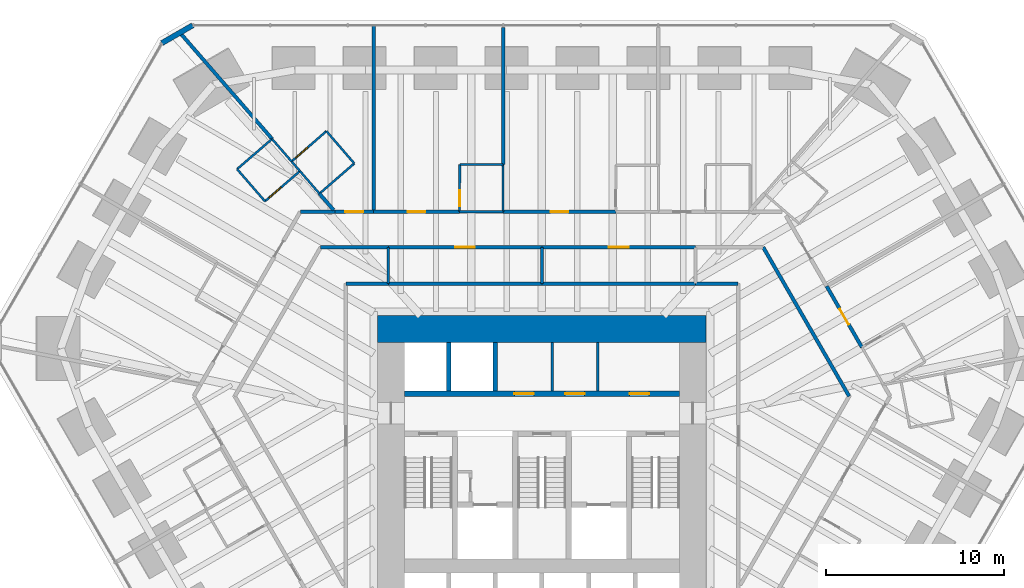
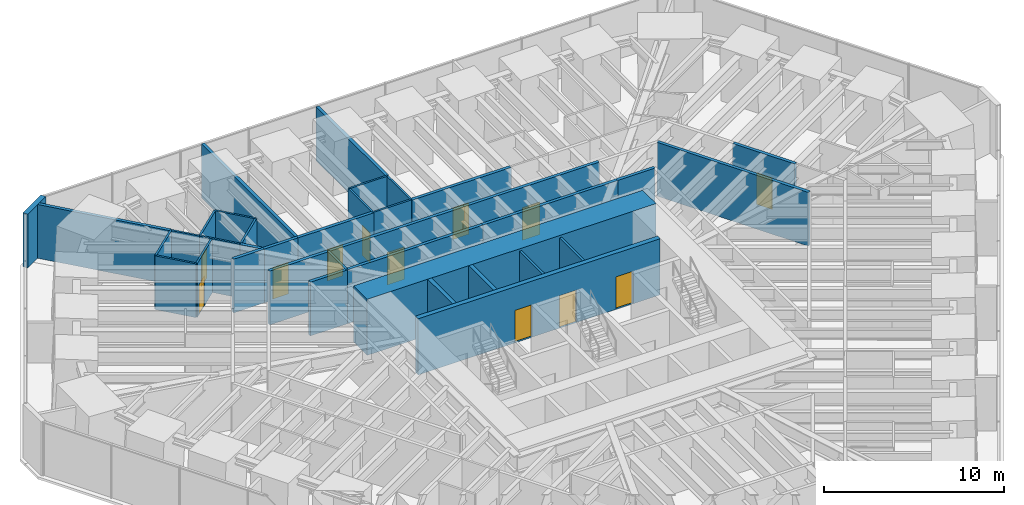
# One storey, part 14 of 17: 39 walls, 12 doors, 12 openings.
"""IFC4 building model written with IfcOpenShell, lengths in metres."""

from ifc_helpers import new_model, si_unit, direction, frame, frame_2d, origin, place, context, subcontext, project, spatial, rectangle, extrude, material, layer, layer_set, type_object, element, fill, save


model = new_model("IFC4")

# Units and contexts
model_context = context("Model", 3, precision=1e-05, world=origin(), true_north=direction((0.0, 1.0)))
body_context = subcontext(model_context, "Body", "Model", "MODEL_VIEW")
ifc_project = project(units=[si_unit("LENGTHUNIT", "METRE"), si_unit("AREAUNIT", "SQUARE_METRE"), si_unit("VOLUMEUNIT", "CUBIC_METRE"), si_unit("PLANEANGLEUNIT", "RADIAN"), si_unit("MASSUNIT", "GRAM", prefix="KILO")], contexts=[model_context])

# Site, building, storey
site_placement = place(None, origin())
site = spatial("IfcSite", under=ifc_project, at=site_placement, CompositionType="ELEMENT")
building_placement = place(site_placement, origin())
building = spatial("IfcBuilding", under=site, at=building_placement, Name="Sandreach Pilgrim Tower", CompositionType="ELEMENT")
storey_placement = place(building_placement, frame((0.0, 0.0, 87.60009765625)))
storey = spatial("IfcBuildingStorey", under=building, at=storey_placement, Name="L21", CompositionType="ELEMENT", Elevation=87.60009765625)

# Walls
ifc_material_1 = material(Name="Gypsum board on steel studs", Category="steel")
ifc_layer_1 = layer(ifc_material_1, 0.14990234375)
ifc_layer_set_1 = layer_set([ifc_layer_1], Name="Back of house wall 150")
wall_type_1 = type_object("IfcWallType", Name="Back of house wall 150", PredefinedType="PARTITIONING", material=ifc_layer_set_1)
wall_1_placement = place(storey_placement, frame((-8.64990234375, 11.449951171875, 0.0), z_axis=(0.0, 0.0, 1.0), x_axis=(0.0, -1.0, 0.0)))
element("IfcWall", 1, at=wall_1_placement, inside=storey, type_object=wall_type_1, Name="Back of house wall L21-053", PredefinedType="PARTITIONING", context=body_context, shape_type="SweptSolid", body=[
    extrude(rectangle(XDim=2.050048828125, YDim=0.14990234375, at=frame_2d((1.02490234375, 0.0))), origin(), (0.0, 0.0, 1.0), 3.639892578125),
])
wall_2_placement = place(storey_placement, frame((0.0, 11.449951171875, 0.0), z_axis=(0.0, 0.0, 1.0), x_axis=(0.0, -1.0, 0.0)))
element("IfcWall", 2, at=wall_2_placement, inside=storey, type_object=wall_type_1, Name="Back of house wall L21-077", PredefinedType="PARTITIONING", context=body_context, shape_type="SweptSolid", body=[
    extrude(rectangle(XDim=2.050048828125, YDim=0.14990234375, at=frame_2d((1.02490234375, 0.0))), origin(), (0.0, 0.0, 1.0), 2.712890625),
])
for number, where, z_axis, x_axis, name in (
    (3, (0.574951171875, 3.35009765625, 0.0), (0.0, 0.0, 1.0), (0.0, 1.0, 0.0), "Core room partition L21 1"),
    (4, (3.137451171875, 3.35009765625, 0.0), (0.0, 0.0, 1.0), (0.0, 1.0, 0.0), "Core room partition L21 2"),
):
    element("IfcWall", number, at=place(storey_placement, frame(where, z_axis=z_axis, x_axis=x_axis)), inside=storey, type_object=wall_type_1, Name=name, PredefinedType="PARTITIONING", context=body_context, shape_type="SweptSolid", body=[
        extrude(rectangle(XDim=2.75, YDim=0.14990234375, at=frame_2d((1.375, 0.0))), origin(), (0.0, 0.0, 1.0), 3.639892578125),
    ])
ifc_material_2 = material(Name="Moisture-resistant gypsum board on steel studs", Category="steel")
ifc_layer_2 = layer(ifc_material_2, 0.1201171875)
ifc_layer_set_2 = layer_set([ifc_layer_2], Name="Bathroom partition 120")
wall_type_2 = type_object("IfcWallType", Name="Bathroom partition 120", PredefinedType="PARTITIONING", material=ifc_layer_set_2)
wall_3_placement = place(storey_placement, frame((-17.169921875, 15.85009765625, 0.0), z_axis=(0.0, 0.0, 1.0), x_axis=(0.655194291402, -0.755460416245, 0.0)))
element("IfcWall", 5, at=wall_3_placement, inside=storey, type_object=wall_type_2, Name="Bathroom partition L21-019", PredefinedType="PARTITIONING", context=body_context, shape_type="SweptSolid", body=[
    extrude(rectangle(XDim=2.39599609375, YDim=0.1201171875, at=frame_2d((1.197998046875, 0.0))), origin(), (0.0, 0.0, 1.0), 3.639892578125),
])

# Wall, opening, door
wall_4_placement = place(storey_placement, frame((-15.60009765625, 14.0400390625, 0.0), z_axis=(0.0, 0.0, 1.0), x_axis=(0.757126702698, 0.653268058351, 0.0)))
wall_4 = element("IfcWall", 6, at=wall_4_placement, inside=storey, type_object=wall_type_2, Name="Bathroom partition L21-024", PredefinedType="PARTITIONING", context=body_context, shape_type="SweptSolid", body=[
    extrude(rectangle(XDim=2.602294921875, YDim=0.1201171875, at=frame_2d((1.30126953125, 0.0))), origin(), (0.0, 0.0, 1.0), 3.639892578125),
])
opening_1_placement = place(wall_4_placement, frame((0.300048828125, 0.0, 0.0)))
opening_1 = element("IfcOpeningElement", 7, at=opening_1_placement, cuts=wall_4, Name="Opening D09-18B", PredefinedType="OPENING", context=body_context, shape_type="SweptSolid", body=[
    extrude(rectangle(XDim=0.89990234375, YDim=2.030029296875, at=frame_2d((0.449951171875, 1.01513671875))), frame((0.0, 0.06005859375, 0.0), z_axis=(0.0, -1.0, 0.0), x_axis=(1.0, 0.0, 0.0)), (0.0, 0.0, 1.0), 0.1201171875),
])
ifc_material_3 = material(Name="Timber door, steel frame", Category="steel")
door_type_1 = type_object("IfcDoorType", Name="Bathroom door", OperationType="SINGLE_SWING_LEFT", PredefinedType="DOOR", material=ifc_material_3)
door_1_placement = place(opening_1_placement, origin())
door_1 = element("IfcDoor", 8, at=door_1_placement, inside=storey, type_object=door_type_1, Name="Door 2118B", OperationType="SINGLE_SWING_LEFT", OverallHeight=2.030029296875, OverallWidth=0.89990234375, PredefinedType="DOOR", context=body_context, shape_type="SweptSolid", body=[
    extrude(rectangle(XDim=0.89990234375, YDim=2.030029296875, at=frame_2d((0.449951171875, 1.01513671875))), frame((0.0, 0.02490234375, 0.0), z_axis=(0.0, -1.0, 0.0), x_axis=(1.0, 0.0, 0.0)), (0.0, 0.0, 1.0), 0.050048828125),
])
fill(opening_1, door_1)

# Walls
wall_5_placement = place(storey_placement, frame((-15.199951171875, 17.550048828125, 0.0), z_axis=(0.0, 0.0, 1.0), x_axis=(-0.757086659925, -0.653314464377, 0.0)))
element("IfcWall", 9, at=wall_5_placement, inside=storey, type_object=wall_type_2, Name="Bathroom partition L21-026", PredefinedType="PARTITIONING", context=body_context, shape_type="SweptSolid", body=[
    extrude(rectangle(XDim=2.60205078125, YDim=0.1201171875, at=frame_2d((1.301025390625, 0.0))), origin(), (0.0, 0.0, 1.0), 3.639892578125),
])
wall_6_placement = place(storey_placement, frame((-15.199951171875, 17.550048828125, 0.0), z_axis=(0.0, 0.0, 1.0), x_axis=(0.654648343784, -0.755933559237, 0.0)))
element("IfcWall", 10, at=wall_6_placement, inside=storey, type_object=wall_type_2, Name="Bathroom partition L21-027", PredefinedType="PARTITIONING", context=body_context, shape_type="SweptSolid", body=[
    extrude(rectangle(XDim=1.68017578125, YDim=0.1201171875, at=frame_2d((0.840087890625, 0.0))), origin(), (0.0, 0.0, 1.0), 3.639892578125),
])
wall_7_placement = place(storey_placement, frame((-14.10009765625, 16.280029296875, 0.0), z_axis=(0.0, 0.0, 1.0), x_axis=(0.656668163725, -0.754179635597, 0.0)))
element("IfcWall", 11, at=wall_7_placement, inside=storey, type_object=wall_type_2, Name="Bathroom partition L21-031", PredefinedType="PARTITIONING", context=body_context, shape_type="SweptSolid", body=[
    extrude(rectangle(XDim=0.716064453125, YDim=0.1201171875, at=frame_2d((0.35791015625, 0.0))), origin(), (0.0, 0.0, 1.0), 3.639892578125),
])
wall_8_placement = place(storey_placement, frame((-13.630126953125, 15.739990234375, 0.0), z_axis=(0.0, 0.0, 1.0), x_axis=(0.654028355274, -0.756470032783, 0.0)))
element("IfcWall", 12, at=wall_8_placement, inside=storey, type_object=wall_type_2, Name="Bathroom partition L21-032", PredefinedType="PARTITIONING", context=body_context, shape_type="SweptSolid", body=[
    extrude(rectangle(XDim=1.68017578125, YDim=0.1201171875, at=frame_2d((0.840087890625, 0.0))), origin(), (0.0, 0.0, 1.0), 3.639892578125),
])
wall_9_placement = place(storey_placement, frame((-12.530029296875, 14.469970703125, 0.0), z_axis=(0.0, 0.0, 1.0), x_axis=(0.755437535555, 0.655220672655, 0.0)))
element("IfcWall", 13, at=wall_9_placement, inside=storey, type_object=wall_type_2, Name="Bathroom partition L21-037", PredefinedType="PARTITIONING", context=body_context, shape_type="SweptSolid", body=[
    extrude(rectangle(XDim=2.594482421875, YDim=0.1201171875, at=frame_2d((1.29736328125, 0.0))), origin(), (0.0, 0.0, 1.0), 3.639892578125),
])

# Wall, opening, door
wall_10_placement = place(storey_placement, frame((-12.139892578125, 17.989990234375, 0.0), z_axis=(0.0, 0.0, 1.0), x_axis=(-0.753570046386, -0.657367617996, 0.0)))
wall_10 = element("IfcWall", 14, at=wall_10_placement, inside=storey, type_object=wall_type_2, Name="Bathroom partition L21-040", PredefinedType="PARTITIONING", context=body_context, shape_type="SweptSolid", body=[
    extrude(rectangle(XDim=2.601318359375, YDim=0.1201171875, at=frame_2d((1.30078125, 0.0))), origin(), (0.0, 0.0, 1.0), 3.639892578125),
])
opening_2_placement = place(wall_10_placement, frame((1.401123046875, 0.0, 0.0)))
opening_2 = element("IfcOpeningElement", 15, at=opening_2_placement, cuts=wall_10, Name="Opening D09-01B", PredefinedType="OPENING", context=body_context, shape_type="SweptSolid", body=[
    extrude(rectangle(XDim=0.89990234375, YDim=2.030029296875, at=frame_2d((0.449951171875, 1.01513671875))), frame((0.0, 0.06005859375, 0.0), z_axis=(0.0, -1.0, 0.0), x_axis=(1.0, 0.0, 0.0)), (0.0, 0.0, 1.0), 0.1201171875),
])
door_2_placement = place(opening_2_placement, origin())
door_2 = element("IfcDoor", 16, at=door_2_placement, inside=storey, type_object=door_type_1, Name="Door 2101B", OperationType="SINGLE_SWING_RIGHT", OverallHeight=2.030029296875, OverallWidth=0.89990234375, PredefinedType="DOOR", context=body_context, shape_type="SweptSolid", body=[
    extrude(rectangle(XDim=0.89990234375, YDim=2.030029296875, at=frame_2d((0.449951171875, 1.01513671875))), frame((0.0, 0.02490234375, 0.0), z_axis=(0.0, -1.0, 0.0), x_axis=(1.0, 0.0, 0.0)), (0.0, 0.0, 1.0), 0.050048828125),
])
fill(opening_2, door_2)

# Wall
wall_11_placement = place(storey_placement, frame((-10.570068359375, 16.169921875, 0.0), z_axis=(0.0, 0.0, 1.0), x_axis=(-0.653130488449, 0.757245379687, 0.0)))
element("IfcWall", 17, at=wall_11_placement, inside=storey, type_object=wall_type_2, Name="Bathroom partition L21-047", PredefinedType="PARTITIONING", context=body_context, shape_type="SweptSolid", body=[
    extrude(rectangle(XDim=2.403564453125, YDim=0.1201171875, at=frame_2d((1.20166015625, 0.0))), origin(), (0.0, 0.0, 1.0), 3.639892578125),
])

# Wall, opening, door
wall_12_placement = place(storey_placement, frame((-4.6298828125, 16.110107421875, 0.0), z_axis=(0.0, 0.0, 1.0), x_axis=(-0.003762822113, -0.99999292056, 0.0)))
wall_12 = element("IfcWall", 18, at=wall_12_placement, inside=storey, type_object=wall_type_2, Name="Bathroom partition L21-059", PredefinedType="PARTITIONING", context=body_context, shape_type="SweptSolid", body=[
    extrude(rectangle(XDim=2.66015625, YDim=0.1201171875, at=frame_2d((1.330078125, 0.0))), origin(), (0.0, 0.0, 1.0), 3.639892578125),
])
opening_3_placement = place(wall_12_placement, frame((1.4599609375, 0.0, 0.0)))
opening_3 = element("IfcOpeningElement", 19, at=opening_3_placement, cuts=wall_12, Name="Opening D09-02B", PredefinedType="OPENING", context=body_context, shape_type="SweptSolid", body=[
    extrude(rectangle(XDim=0.89990234375, YDim=2.030029296875, at=frame_2d((0.449951171875, 1.01513671875))), frame((0.0, 0.06005859375, 0.0), z_axis=(0.0, -1.0, 0.0), x_axis=(1.0, 0.0, 0.0)), (0.0, 0.0, 1.0), 0.1201171875),
])
door_3_placement = place(opening_3_placement, origin())
door_3 = element("IfcDoor", 20, at=door_3_placement, inside=storey, type_object=door_type_1, Name="Door 2102B", OperationType="SINGLE_SWING_RIGHT", OverallHeight=2.030029296875, OverallWidth=0.89990234375, PredefinedType="DOOR", context=body_context, shape_type="SweptSolid", body=[
    extrude(rectangle(XDim=0.89990234375, YDim=2.030029296875, at=frame_2d((0.449951171875, 1.01513671875))), frame((0.0, 0.02490234375, 0.0), z_axis=(0.0, -1.0, 0.0), x_axis=(1.0, 0.0, 0.0)), (0.0, 0.0, 1.0), 0.050048828125),
])
fill(opening_3, door_3)

# Walls
wall_13_placement = place(storey_placement, frame((-2.18994140625, 13.449951171875, 0.0), z_axis=(0.0, 0.0, 1.0), x_axis=(-1.0, 0.0, 0.0)))
element("IfcWall", 21, at=wall_13_placement, inside=storey, type_object=wall_type_2, Name="Bathroom partition L21-065", PredefinedType="PARTITIONING", context=body_context, shape_type="SweptSolid", body=[
    extrude(rectangle(XDim=2.449951171875, YDim=0.1201171875, at=frame_2d((1.22509765625, 0.0))), origin(), (0.0, 0.0, 1.0), 3.639892578125),
])
wall_14_placement = place(storey_placement, frame((-2.18994140625, 16.10009765625, 0.0), z_axis=(0.0, 0.0, 1.0), x_axis=(-0.999991585011, 0.004102426955, 0.0)))
element("IfcWall", 22, at=wall_14_placement, inside=storey, type_object=wall_type_2, Name="Bathroom partition L21-066", PredefinedType="PARTITIONING", context=body_context, shape_type="SweptSolid", body=[
    extrude(rectangle(XDim=2.43994140625, YDim=0.1201171875, at=frame_2d((1.219970703125, 0.0))), origin(), (0.0, 0.0, 1.0), 3.639892578125),
])
wall_15_placement = place(storey_placement, frame((-2.18994140625, 16.10009765625, 0.0), z_axis=(0.0, 0.0, 1.0), x_axis=(0.0, -1.0, 0.0)))
element("IfcWall", 23, at=wall_15_placement, inside=storey, type_object=wall_type_2, Name="Bathroom partition L21-067", PredefinedType="PARTITIONING", context=body_context, shape_type="SweptSolid", body=[
    extrude(rectangle(XDim=2.650146484375, YDim=0.1201171875, at=frame_2d((1.3251953125, 0.0))), origin(), (0.0, 0.0, 1.0), 3.639892578125),
])

# Wall, openings, doors
ifc_material_4 = material(Name="Concrete 10000 psi", Category="concrete")
ifc_layer_3 = layer(ifc_material_4, 0.300048828125)
ifc_layer_set_3 = layer_set([ifc_layer_3], Name="Core inner wall 300")
wall_type_3 = type_object("IfcWallType", Name="Core inner wall 300", PredefinedType="SHEAR", material=ifc_layer_set_3)
wall_16_placement = place(storey_placement, frame((-7.75, 3.199951171875, 0.0), z_axis=(0.0, 0.0, 1.0), x_axis=(1.0, 0.0, 0.0)))
wall_16 = element("IfcWall", 24, at=wall_16_placement, inside=storey, type_object=wall_type_3, Name="Core wall PN L21", PredefinedType="SHEAR", context=body_context, shape_type="SweptSolid", body=[
    extrude(rectangle(XDim=15.5, YDim=0.300048828125, at=frame_2d((7.75, 0.0))), origin(), (0.0, 0.0, 1.0), 3.7998046875),
])
opening_4_placement = place(wall_16_placement, frame((6.199951171875, 0.0, 0.0)))
opening_4 = element("IfcOpeningElement", 25, at=opening_4_placement, cuts=wall_16, Name="Opening D11L", PredefinedType="OPENING", context=body_context, shape_type="SweptSolid", body=[
    extrude(rectangle(XDim=1.10009765625, YDim=2.199951171875, at=frame_2d((0.550048828125, 1.10009765625))), frame((0.0, 0.14990234375, 0.0), z_axis=(0.0, -1.0, 0.0), x_axis=(1.0, 0.0, 0.0)), (0.0, 0.0, 1.0), 0.300048828125),
])
opening_5_placement = place(wall_16_placement, frame((9.05615234375, 0.0, 0.0)))
opening_5 = element("IfcOpeningElement", 26, at=opening_5_placement, cuts=wall_16, Name="Opening D11L", PredefinedType="OPENING", context=body_context, shape_type="SweptSolid", body=[
    extrude(rectangle(XDim=1.10009765625, YDim=2.199951171875, at=frame_2d((0.550048828125, 1.10009765625))), frame((0.0, 0.14990234375, 0.0), z_axis=(0.0, -1.0, 0.0), x_axis=(1.0, 0.0, 0.0)), (0.0, 0.0, 1.0), 0.300048828125),
])
opening_6_placement = place(wall_16_placement, frame((12.68115234375, 0.0, 0.0)))
opening_6 = element("IfcOpeningElement", 27, at=opening_6_placement, cuts=wall_16, Name="Opening D11L", PredefinedType="OPENING", context=body_context, shape_type="SweptSolid", body=[
    extrude(rectangle(XDim=1.10009765625, YDim=2.199951171875, at=frame_2d((0.550048828125, 1.10009765625))), frame((0.0, 0.14990234375, 0.0), z_axis=(0.0, -1.0, 0.0), x_axis=(1.0, 0.0, 0.0)), (0.0, 0.0, 1.0), 0.300048828125),
])
ifc_material_5 = material(Name="Steel door and frame, smoke seals", Category="steel")
door_type_2 = type_object("IfcDoorType", Name="Core room door", OperationType="SINGLE_SWING_LEFT", PredefinedType="DOOR", material=ifc_material_5)
door_4_placement = place(opening_4_placement, origin())
door_4 = element("IfcDoor", 28, at=door_4_placement, inside=storey, type_object=door_type_2, Name="Door linen and housekeeping store 21K1", OperationType="SINGLE_SWING_LEFT", OverallHeight=2.199951171875, OverallWidth=1.10009765625, PredefinedType="DOOR", context=body_context, shape_type="SweptSolid", body=[
    extrude(rectangle(XDim=1.10009765625, YDim=2.199951171875, at=frame_2d((0.550048828125, 1.10009765625))), frame((0.0, 0.02490234375, 0.0), z_axis=(0.0, -1.0, 0.0), x_axis=(1.0, 0.0, 0.0)), (0.0, 0.0, 1.0), 0.050048828125),
])
fill(opening_4, door_4)
door_5_placement = place(opening_5_placement, origin())
door_5 = element("IfcDoor", 29, at=door_5_placement, inside=storey, type_object=door_type_2, Name="Door cleaners store 21K2", OperationType="SINGLE_SWING_RIGHT", OverallHeight=2.199951171875, OverallWidth=1.10009765625, PredefinedType="DOOR", context=body_context, shape_type="SweptSolid", body=[
    extrude(rectangle(XDim=1.10009765625, YDim=2.199951171875, at=frame_2d((0.550048828125, 1.10009765625))), frame((0.0, 0.02490234375, 0.0), z_axis=(0.0, -1.0, 0.0), x_axis=(1.0, 0.0, 0.0)), (0.0, 0.0, 1.0), 0.050048828125),
])
fill(opening_5, door_5)
door_6_placement = place(opening_6_placement, origin())
door_6 = element("IfcDoor", 30, at=door_6_placement, inside=storey, type_object=door_type_2, Name="Door storage room 21K3", OperationType="SINGLE_SWING_RIGHT", OverallHeight=2.199951171875, OverallWidth=1.10009765625, PredefinedType="DOOR", context=body_context, shape_type="SweptSolid", body=[
    extrude(rectangle(XDim=1.10009765625, YDim=2.199951171875, at=frame_2d((0.550048828125, 1.10009765625))), frame((0.0, 0.02490234375, 0.0), z_axis=(0.0, -1.0, 0.0), x_axis=(1.0, 0.0, 0.0)), (0.0, 0.0, 1.0), 0.050048828125),
])
fill(opening_6, door_6)

# Walls
ifc_material_6 = material(Name="Concrete 10000 psi", Category="concrete")
ifc_layer_4 = layer(ifc_material_6, 1.5)
ifc_layer_set_4 = layer_set([ifc_layer_4], Name="Core wall 1500")
wall_type_4 = type_object("IfcWallType", Name="Core wall 1500", PredefinedType="SHEAR", material=ifc_layer_set_4)
wall_17_placement = place(storey_placement, frame((-9.25, 6.85009765625, 0.0), z_axis=(0.0, 0.0, 1.0), x_axis=(1.0, 0.0, 0.0)))
element("IfcWall", 31, at=wall_17_placement, inside=storey, type_object=wall_type_4, Name="Core wall N L21", PredefinedType="SHEAR", context=body_context, shape_type="SweptSolid", body=[
    extrude(rectangle(XDim=18.5, YDim=1.5, at=frame_2d((9.25, 0.0))), origin(), (0.0, 0.0, 1.0), 3.7998046875),
])
ifc_material_7 = material(Name="Gypsum board on steel studs, two layers each side", Category="steel")
ifc_layer_5 = layer(ifc_material_7, 0.199951171875)
ifc_layer_set_5 = layer_set([ifc_layer_5], Name="Corridor wall 200")
wall_type_5 = type_object("IfcWallType", Name="Corridor wall 200", PredefinedType="PARTITIONING", material=ifc_layer_set_5)
wall_18_placement = place(storey_placement, frame((-12.4599609375, 11.449951171875, 0.0), z_axis=(0.0, 0.0, 1.0), x_axis=(1.0, 0.0, 0.0)))
element("IfcWall", 32, at=wall_18_placement, inside=storey, type_object=wall_type_5, Name="Corridor wall L21-038", PredefinedType="PARTITIONING", context=body_context, shape_type="SweptSolid", body=[
    extrude(rectangle(XDim=3.81005859375, YDim=0.199951171875, at=frame_2d((1.905029296875, 0.0))), origin(), (0.0, 0.0, 1.0), 3.639892578125),
])
wall_19_placement = place(storey_placement, frame((-11.64990234375, 13.449951171875, 0.0), z_axis=(0.0, 0.0, 1.0), x_axis=(-1.0, 0.0, 0.0)))
element("IfcWall", 33, at=wall_19_placement, inside=storey, type_object=wall_type_5, Name="Corridor wall L21-041", PredefinedType="PARTITIONING", context=body_context, shape_type="SweptSolid", body=[
    extrude(rectangle(XDim=1.960205078125, YDim=0.199951171875, at=frame_2d((0.97998046875, 0.0))), origin(), (0.0, 0.0, 1.0), 3.639892578125),
])

# Wall, opening, door
wall_20_placement = place(storey_placement, frame((-9.47998046875, 13.449951171875, 0.0), z_axis=(0.0, 0.0, 1.0), x_axis=(-1.0, 0.0, 0.0)))
wall_20 = element("IfcWall", 34, at=wall_20_placement, inside=storey, type_object=wall_type_5, Name="Corridor wall L21-049", PredefinedType="PARTITIONING", context=body_context, shape_type="SweptSolid", body=[
    extrude(rectangle(XDim=2.169921875, YDim=0.199951171875, at=frame_2d((1.0849609375, 0.0))), origin(), (0.0, 0.0, 1.0), 3.639892578125),
])
opening_7_placement = place(wall_20_placement, frame((0.5849609375, 0.0, 0.0)))
opening_7 = element("IfcOpeningElement", 35, at=opening_7_placement, cuts=wall_20, Name="Opening D10-01", PredefinedType="OPENING", context=body_context, shape_type="SweptSolid", body=[
    extrude(rectangle(XDim=1.0, YDim=2.1298828125, at=frame_2d((0.5, 1.06494140625))), frame((0.0, 0.10009765625, 0.0), z_axis=(0.0, -1.0, 0.0), x_axis=(1.0, 0.0, 0.0)), (0.0, 0.0, 1.0), 0.199951171875),
])
ifc_material_8 = material(Name="Steel door and frame", Category="steel")
door_type_3 = type_object("IfcDoorType", Name="Guest room entry door", OperationType="SINGLE_SWING_LEFT", PredefinedType="DOOR", material=ifc_material_8)
door_7_placement = place(opening_7_placement, origin())
door_7 = element("IfcDoor", 36, at=door_7_placement, inside=storey, type_object=door_type_3, Name="Door 2101", OperationType="SINGLE_SWING_LEFT", OverallHeight=2.1298828125, OverallWidth=1.0, PredefinedType="DOOR", context=body_context, shape_type="SweptSolid", body=[
    extrude(rectangle(XDim=1.0, YDim=2.1298828125, at=frame_2d((0.5, 1.06494140625))), frame((0.0, 0.02490234375, 0.0), z_axis=(0.0, -1.0, 0.0), x_axis=(1.0, 0.0, 0.0)), (0.0, 0.0, 1.0), 0.050048828125),
])
fill(opening_7, door_7)

# Wall
wall_21_placement = place(storey_placement, frame((-8.64990234375, 9.39990234375, 0.0), z_axis=(0.0, 0.0, 1.0), x_axis=(-1.0, 0.0, 0.0)))
element("IfcWall", 37, at=wall_21_placement, inside=storey, type_object=wall_type_5, Name="Corridor wall L21-052", PredefinedType="PARTITIONING", context=body_context, shape_type="SweptSolid", body=[
    extrude(rectangle(XDim=2.39013671875, YDim=0.199951171875, at=frame_2d((1.195068359375, 0.0))), origin(), (0.0, 0.0, 1.0), 3.639892578125),
])

# Wall, opening, door
wall_22_placement = place(storey_placement, frame((-8.64990234375, 11.449951171875, 0.0), z_axis=(0.0, 0.0, 1.0), x_axis=(1.0, 0.0, 0.0)))
wall_22 = element("IfcWall", 38, at=wall_22_placement, inside=storey, type_object=wall_type_5, Name="Corridor wall L21-054", PredefinedType="PARTITIONING", context=body_context, shape_type="SweptSolid", body=[
    extrude(rectangle(XDim=8.64990234375, YDim=0.199951171875, at=frame_2d((4.324951171875, 0.0))), origin(), (0.0, 0.0, 1.0), 3.639892578125),
])
opening_8_placement = place(wall_22_placement, frame((3.77490234375, 0.0, 0.0)))
opening_8 = element("IfcOpeningElement", 39, at=opening_8_placement, cuts=wall_22, Name="Opening D11H-M02", PredefinedType="OPENING", context=body_context, shape_type="SweptSolid", body=[
    extrude(rectangle(XDim=1.10009765625, YDim=2.199951171875, at=frame_2d((0.550048828125, 1.10009765625))), frame((0.0, 0.10009765625, 0.0), z_axis=(0.0, -1.0, 0.0), x_axis=(1.0, 0.0, 0.0)), (0.0, 0.0, 1.0), 0.199951171875),
])
ifc_material_9 = material(Name="Steel door and frame", Category="steel")
door_type_4 = type_object("IfcDoorType", Name="Back of house door", OperationType="SINGLE_SWING_LEFT", PredefinedType="DOOR", material=ifc_material_9)
door_8_placement = place(opening_8_placement, origin())
door_8 = element("IfcDoor", 40, at=door_8_placement, inside=storey, type_object=door_type_4, Name="Door 21M02", OperationType="SINGLE_SWING_LEFT", OverallHeight=2.199951171875, OverallWidth=1.10009765625, PredefinedType="DOOR", context=body_context, shape_type="SweptSolid", body=[
    extrude(rectangle(XDim=1.10009765625, YDim=2.199951171875, at=frame_2d((0.550048828125, 1.10009765625))), frame((0.0, 0.02490234375, 0.0), z_axis=(0.0, -1.0, 0.0), x_axis=(1.0, 0.0, 0.0)), (0.0, 0.0, 1.0), 0.050048828125),
])
fill(opening_8, door_8)

wall_23_placement = place(storey_placement, frame((-4.639892578125, 13.449951171875, 0.0), z_axis=(0.0, 0.0, 1.0), x_axis=(-1.0, 0.0, 0.0)))
wall_23 = element("IfcWall", 41, at=wall_23_placement, inside=storey, type_object=wall_type_5, Name="Corridor wall L21-058", PredefinedType="PARTITIONING", context=body_context, shape_type="SweptSolid", body=[
    extrude(rectangle(XDim=4.840087890625, YDim=0.199951171875, at=frame_2d((2.419921875, 0.0))), origin(), (0.0, 0.0, 1.0), 3.639892578125),
])
opening_9_placement = place(wall_23_placement, frame((1.919921875, 0.0, 0.0)))
opening_9 = element("IfcOpeningElement", 42, at=opening_9_placement, cuts=wall_23, Name="Opening D10-02", PredefinedType="OPENING", context=body_context, shape_type="SweptSolid", body=[
    extrude(rectangle(XDim=1.0, YDim=2.1298828125, at=frame_2d((0.5, 1.06494140625))), frame((0.0, 0.10009765625, 0.0), z_axis=(0.0, -1.0, 0.0), x_axis=(1.0, 0.0, 0.0)), (0.0, 0.0, 1.0), 0.199951171875),
])
door_9_placement = place(opening_9_placement, origin())
door_9 = element("IfcDoor", 43, at=door_9_placement, inside=storey, type_object=door_type_3, Name="Door 2102", OperationType="SINGLE_SWING_LEFT", OverallHeight=2.1298828125, OverallWidth=1.0, PredefinedType="DOOR", context=body_context, shape_type="SweptSolid", body=[
    extrude(rectangle(XDim=1.0, YDim=2.1298828125, at=frame_2d((0.5, 1.06494140625))), frame((0.0, 0.02490234375, 0.0), z_axis=(0.0, -1.0, 0.0), x_axis=(1.0, 0.0, 0.0)), (0.0, 0.0, 1.0), 0.050048828125),
])
fill(opening_9, door_9)

# Wall
wall_24_placement = place(storey_placement, frame((0.0, 9.39990234375, 0.0), z_axis=(0.0, 0.0, 1.0), x_axis=(-1.0, 0.0, 0.0)))
element("IfcWall", 44, at=wall_24_placement, inside=storey, type_object=wall_type_5, Name="Corridor wall L21-076", PredefinedType="PARTITIONING", context=body_context, shape_type="SweptSolid", body=[
    extrude(rectangle(XDim=8.64990234375, YDim=0.199951171875, at=frame_2d((4.324951171875, 0.0))), origin(), (0.0, 0.0, 1.0), 3.639892578125),
])

# Wall, opening, door
wall_25_placement = place(storey_placement, frame((0.0, 11.449951171875, 0.0), z_axis=(0.0, 0.0, 1.0), x_axis=(1.0, 0.0, 0.0)))
wall_25 = element("IfcWall", 45, at=wall_25_placement, inside=storey, type_object=wall_type_5, Name="Corridor wall L21-078", PredefinedType="PARTITIONING", context=body_context, shape_type="SweptSolid", body=[
    extrude(rectangle(XDim=8.64990234375, YDim=0.199951171875, at=frame_2d((4.324951171875, 0.0))), origin(), (0.0, 0.0, 1.0), 3.639892578125),
])
opening_10_placement = place(wall_25_placement, frame((3.77490234375, 0.0, 0.0)))
opening_10 = element("IfcOpeningElement", 46, at=opening_10_placement, cuts=wall_25, Name="Opening D11H-M03", PredefinedType="OPENING", context=body_context, shape_type="SweptSolid", body=[
    extrude(rectangle(XDim=1.10009765625, YDim=2.199951171875, at=frame_2d((0.550048828125, 1.10009765625))), frame((0.0, 0.10009765625, 0.0), z_axis=(0.0, -1.0, 0.0), x_axis=(1.0, 0.0, 0.0)), (0.0, 0.0, 1.0), 0.199951171875),
])
door_10_placement = place(opening_10_placement, origin())
door_10 = element("IfcDoor", 47, at=door_10_placement, inside=storey, type_object=door_type_4, Name="Door 21M03", OperationType="SINGLE_SWING_LEFT", OverallHeight=2.199951171875, OverallWidth=1.10009765625, PredefinedType="DOOR", context=body_context, shape_type="SweptSolid", body=[
    extrude(rectangle(XDim=1.10009765625, YDim=2.199951171875, at=frame_2d((0.550048828125, 1.10009765625))), frame((0.0, 0.02490234375, 0.0), z_axis=(0.0, -1.0, 0.0), x_axis=(1.0, 0.0, 0.0)), (0.0, 0.0, 1.0), 0.050048828125),
])
fill(opening_10, door_10)

wall_26_placement = place(storey_placement, frame((4.159912109375, 13.449951171875, 0.0), z_axis=(0.0, 0.0, 1.0), x_axis=(-1.0, 0.0, 0.0)))
wall_26 = element("IfcWall", 48, at=wall_26_placement, inside=storey, type_object=wall_type_5, Name="Corridor wall L21-084", PredefinedType="PARTITIONING", context=body_context, shape_type="SweptSolid", body=[
    extrude(rectangle(XDim=6.349853515625, YDim=0.199951171875, at=frame_2d((3.1748046875, 0.0))), origin(), (0.0, 0.0, 1.0), 3.639892578125),
])
opening_11_placement = place(wall_26_placement, frame((2.675048828125, 0.0, 0.0)))
opening_11 = element("IfcOpeningElement", 49, at=opening_11_placement, cuts=wall_26, Name="Opening D10-03", PredefinedType="OPENING", context=body_context, shape_type="SweptSolid", body=[
    extrude(rectangle(XDim=1.0, YDim=2.1298828125, at=frame_2d((0.5, 1.06494140625))), frame((0.0, 0.10009765625, 0.0), z_axis=(0.0, -1.0, 0.0), x_axis=(1.0, 0.0, 0.0)), (0.0, 0.0, 1.0), 0.199951171875),
])
door_11_placement = place(opening_11_placement, origin())
door_11 = element("IfcDoor", 50, at=door_11_placement, inside=storey, type_object=door_type_3, Name="Door 2103", OperationType="SINGLE_SWING_LEFT", OverallHeight=2.1298828125, OverallWidth=1.0, PredefinedType="DOOR", context=body_context, shape_type="SweptSolid", body=[
    extrude(rectangle(XDim=1.0, YDim=2.1298828125, at=frame_2d((0.5, 1.06494140625))), frame((0.0, 0.02490234375, 0.0), z_axis=(0.0, -1.0, 0.0), x_axis=(1.0, 0.0, 0.0)), (0.0, 0.0, 1.0), 0.050048828125),
])
fill(opening_11, door_11)

# Walls
wall_27_placement = place(storey_placement, frame((8.64990234375, 9.39990234375, 0.0), z_axis=(0.0, 0.0, 1.0), x_axis=(-1.0, 0.0, 0.0)))
element("IfcWall", 51, at=wall_27_placement, inside=storey, type_object=wall_type_5, Name="Corridor wall L21-102", PredefinedType="PARTITIONING", context=body_context, shape_type="SweptSolid", body=[
    extrude(rectangle(XDim=8.64990234375, YDim=0.199951171875, at=frame_2d((4.324951171875, 0.0))), origin(), (0.0, 0.0, 1.0), 3.639892578125),
])
wall_28_placement = place(storey_placement, frame((11.0400390625, 9.39990234375, 0.0), z_axis=(0.0, 0.0, 1.0), x_axis=(-1.0, 0.0, 0.0)))
element("IfcWall", 52, at=wall_28_placement, inside=storey, type_object=wall_type_5, Name="Corridor wall L21-111", PredefinedType="PARTITIONING", context=body_context, shape_type="SweptSolid", body=[
    extrude(rectangle(XDim=2.39013671875, YDim=0.199951171875, at=frame_2d((1.195068359375, 0.0))), origin(), (0.0, 0.0, 1.0), 3.639892578125),
])
wall_29_placement = place(storey_placement, frame((12.4599609375, 11.449951171875, 0.0), z_axis=(0.0, 0.0, 1.0), x_axis=(0.499704269421, -0.866196076603, 0.0)))
element("IfcWall", 53, at=wall_29_placement, inside=storey, type_object=wall_type_5, Name="Corridor wall L21-119", PredefinedType="PARTITIONING", context=body_context, shape_type="SweptSolid", body=[
    extrude(rectangle(XDim=9.685791015625, YDim=0.199951171875, at=frame_2d((4.8427734375, 0.0))), origin(), (0.0, 0.0, 1.0), 3.639892578125),
])

# Wall, opening, door
wall_30_placement = place(storey_placement, frame((16.030029296875, 9.260009765625, 0.0), z_axis=(0.0, 0.0, 1.0), x_axis=(0.500123041693, -0.865954353975, 0.0)))
wall_30 = element("IfcWall", 54, at=wall_30_placement, inside=storey, type_object=wall_type_5, Name="Corridor wall L21-130", PredefinedType="PARTITIONING", context=body_context, shape_type="SweptSolid", body=[
    extrude(rectangle(XDim=3.97412109375, YDim=0.199951171875, at=frame_2d((1.987060546875, 0.0))), origin(), (0.0, 0.0, 1.0), 3.639892578125),
])
opening_12_placement = place(wall_30_placement, frame((1.487060546875, 0.0, 0.0)))
opening_12 = element("IfcOpeningElement", 55, at=opening_12_placement, cuts=wall_30, Name="Opening D10-06", PredefinedType="OPENING", context=body_context, shape_type="SweptSolid", body=[
    extrude(rectangle(XDim=1.0, YDim=2.1298828125, at=frame_2d((0.5, 1.06494140625))), frame((0.0, 0.10009765625, 0.0), z_axis=(0.0, -1.0, 0.0), x_axis=(1.0, 0.0, 0.0)), (0.0, 0.0, 1.0), 0.199951171875),
])
door_12_placement = place(opening_12_placement, origin())
door_12 = element("IfcDoor", 56, at=door_12_placement, inside=storey, type_object=door_type_3, Name="Door 2106", OperationType="SINGLE_SWING_LEFT", OverallHeight=2.1298828125, OverallWidth=1.0, PredefinedType="DOOR", context=body_context, shape_type="SweptSolid", body=[
    extrude(rectangle(XDim=1.0, YDim=2.1298828125, at=frame_2d((0.5, 1.06494140625))), frame((0.0, 0.02490234375, 0.0), z_axis=(0.0, -1.0, 0.0), x_axis=(1.0, 0.0, 0.0)), (0.0, 0.0, 1.0), 0.050048828125),
])
fill(opening_12, door_12)

# Walls
ifc_material_10 = material(Name="Double steel stud acoustic wall, gypsum board", Category="steel")
ifc_layer_6 = layer(ifc_material_10, 0.199951171875)
ifc_layer_set_6 = layer_set([ifc_layer_6], Name="Party wall 200")
wall_type_6 = type_object("IfcWallType", Name="Party wall 200", PredefinedType="PARTITIONING", material=ifc_layer_set_6)
wall_31_placement = place(storey_placement, frame((-20.400390625, 23.54736328125, 0.0), z_axis=(0.0, 0.0, 1.0), x_axis=(0.655343769788, -0.755330750996, 0.0)))
element("IfcWall", 57, at=wall_31_placement, inside=storey, type_object=wall_type_6, Name="Party wall L21-004", PredefinedType="PARTITIONING", context=body_context, shape_type="SweptSolid", body=[
    extrude(rectangle(XDim=7.93798828125, YDim=0.199951171875, at=frame_2d((3.968994140625, 0.0))), origin(), (0.0, 0.0, 1.0), 3.639892578125),
])
wall_32_placement = place(storey_placement, frame((-12.53125, 14.468994140625, 0.0), z_axis=(0.0, 0.0, 1.0), x_axis=(0.654105410889, -0.756403405232, 0.0)))
element("IfcWall", 58, at=wall_32_placement, inside=storey, type_object=wall_type_6, Name="Party wall L21-036", PredefinedType="PARTITIONING", context=body_context, shape_type="SweptSolid", body=[
    extrude(rectangle(XDim=1.217041015625, YDim=0.199951171875, at=frame_2d((0.6083984375, 0.0))), origin(), (0.0, 0.0, 1.0), 3.639892578125),
])
wall_33_placement = place(storey_placement, frame((-9.47998046875, 23.919921875, 0.0), z_axis=(0.0, 0.0, 1.0), x_axis=(0.0, -1.0, 0.0)))
element("IfcWall", 59, at=wall_33_placement, inside=storey, type_object=wall_type_6, Name="Party wall L21-050", PredefinedType="PARTITIONING", context=body_context, shape_type="SweptSolid", body=[
    extrude(rectangle(XDim=10.4599609375, YDim=0.199951171875, at=frame_2d((5.22998046875, 0.0))), origin(), (0.0, 0.0, 1.0), 3.639892578125),
])
wall_34_placement = place(storey_placement, frame((-2.18994140625, 23.830078125, 0.0), z_axis=(0.0, 0.0, 1.0), x_axis=(0.0, -1.0, 0.0)))
element("IfcWall", 60, at=wall_34_placement, inside=storey, type_object=wall_type_6, Name="Party wall L21-068", PredefinedType="PARTITIONING", context=body_context, shape_type="SweptSolid", body=[
    extrude(rectangle(XDim=7.72998046875, YDim=0.199951171875, at=frame_2d((3.864990234375, 0.0))), origin(), (0.0, 0.0, 1.0), 3.639892578125),
])
ifc_material_11 = material(Name="Gypsum shaft wall on steel studs, two layers of shaft liner board", Category="steel")
ifc_layer_7 = layer(ifc_material_11, 0.25)
ifc_layer_set_7 = layer_set([ifc_layer_7], Name="Shaft partition 250")
wall_type_7 = type_object("IfcWallType", Name="Shaft partition 250", PredefinedType="PARTITIONING", material=ifc_layer_set_7)
for number, where, z_axis, x_axis, name in (
    (61, (-5.25, 3.35009765625, 0.0), (0.0, 0.0, 1.0), (0.0, 1.0, 0.0), "Shaft partition NS0 L21"),
    (62, (-2.625, 3.35009765625, 0.0), (0.0, 0.0, 1.0), (0.0, 1.0, 0.0), "Shaft partition NS1 L21"),
):
    element("IfcWall", number, at=place(storey_placement, frame(where, z_axis=z_axis, x_axis=x_axis)), inside=storey, type_object=wall_type_7, Name=name, PredefinedType="PARTITIONING", context=body_context, shape_type="SweptSolid", body=[
        extrude(rectangle(XDim=2.75, YDim=0.25, at=frame_2d((1.375, 0.0))), origin(), (0.0, 0.0, 1.0), 3.7998046875),
    ])
ifc_material_12 = material(Name="Terracotta rainscreen on concrete", Category="masonry")
ifc_layer_8 = layer(ifc_material_12, 0.300048828125)
ifc_layer_set_8 = layer_set([ifc_layer_8], Name="Terracotta chamfer pier")
wall_type_8 = type_object("IfcWallType", Name="Terracotta chamfer pier", PredefinedType="SOLIDWALL", material=ifc_layer_set_8)
wall_35_placement = place(storey_placement, frame((-21.404052734375, 22.94873046875, 0.0), z_axis=(0.0, 0.0, 1.0), x_axis=(0.866010750942, 0.50002537861, 0.0)))
element("IfcWall", 63, at=wall_35_placement, inside=storey, type_object=wall_type_8, Name="Chamfer pier L21 NW", PredefinedType="SOLIDWALL", context=body_context, shape_type="SweptSolid", body=[
    extrude(rectangle(XDim=2.0, YDim=0.300048828125, at=frame_2d((1.0, 0.0))), origin(), (0.0, 0.0, 1.0), 3.639892578125),
])

save(model, "model.ifc")
